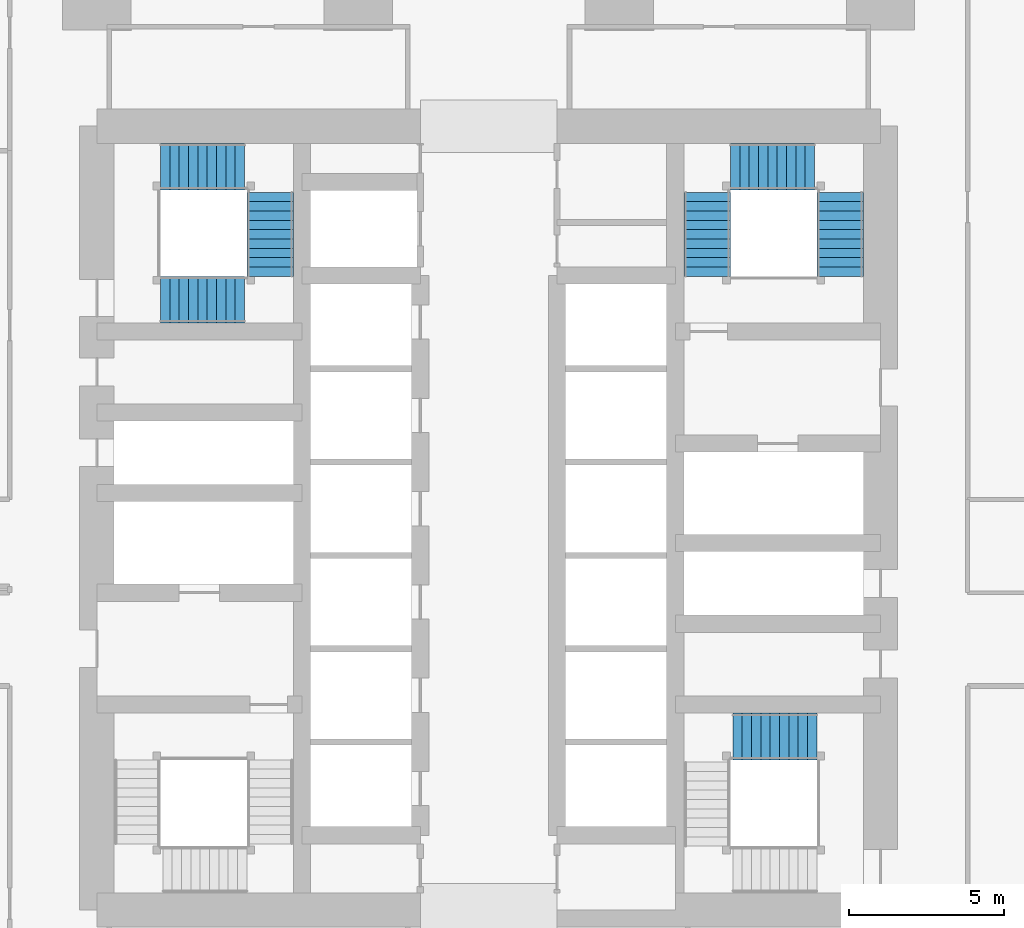
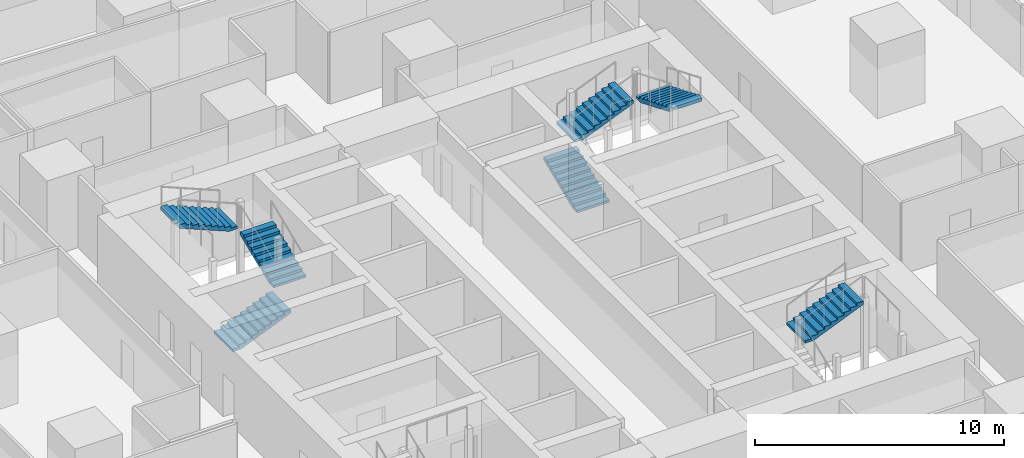
# One storey, part 36 of 45: 7 stair flights, 3 elements without a shape of their own.
"""IFC4 building model written with IfcOpenShell, lengths in metres."""

from ifc_helpers import new_model, si_unit, direction, frame, origin, place, context, subcontext, project, spatial, polyline, outline, extrude, material, type_object, element, aggregate, save


model = new_model("IFC4")

# Units and contexts
model_context = context("Model", 3, precision=1e-05, world=origin(), true_north=direction((0.0, 1.0)))
body_context = subcontext(model_context, "Body", "Model", "MODEL_VIEW")
ifc_project = project(units=[si_unit("LENGTHUNIT", "METRE"), si_unit("AREAUNIT", "SQUARE_METRE"), si_unit("VOLUMEUNIT", "CUBIC_METRE"), si_unit("PLANEANGLEUNIT", "RADIAN"), si_unit("MASSUNIT", "GRAM", prefix="KILO")], contexts=[model_context])

# Site, building, storey
site_placement = place(None, origin())
site = spatial("IfcSite", under=ifc_project, at=site_placement, CompositionType="ELEMENT")
building_placement = place(site_placement, origin())
building = spatial("IfcBuilding", under=site, at=building_placement, Name="Rekha Terrace Tower", CompositionType="ELEMENT")
storey_placement = place(building_placement, frame((0.0, 0.0, 36.64990234375)))
storey = spatial("IfcBuildingStorey", under=building, at=storey_placement, Name="L08", CompositionType="ELEMENT", Elevation=36.64990234375)

# Stair, stair flights
ifc_material = material(Name="Concrete M40", Category="concrete")
stair_type = type_object("IfcStairType", Name="ST30 stair, 30 risers of 125, going 300, 1500 wide flights, 3 flights", PredefinedType="HALF_TURN_STAIR", material=ifc_material)
stair_1_placement = place(storey_placement, origin())
stair_1 = element("IfcStair", 1, at=stair_1_placement, inside=storey, type_object=stair_type, Name="Stair ST2 L08 to L09", PredefinedType="HALF_TURN_STAIR")
stair_flight_type = type_object("IfcStairFlightType", Name="SF10 stair flight, 10 risers of 125, going 300, 1500 wide", PredefinedType="STRAIGHT", material=ifc_material)
stair_flight_1_placement = place(storey_placement, frame((44.824951171875, 41.375, 0.0), z_axis=(0.0, 0.0, 1.0), x_axis=(0.0, 1.0, 0.0)))
stair_flight_1 = element("IfcStairFlight", 2, at=stair_flight_1_placement, type_object=stair_flight_type, Name="ST2 flight 1", NumberOfRisers=10, NumberOfTreads=9, PredefinedType="STRAIGHT", RiserHeight=0.125, TreadLength=0.3, context=body_context, shape_type="SweptSolid", body=[
    extrude(outline(polyline([(0.0, 0.0), (0.0, 0.125), (0.300048828125, 0.125), (0.300048828125, 0.25), (0.60009765625, 0.25), (0.60009765625, 0.375), (0.89990234375, 0.375), (0.89990234375, 0.5), (1.199951171875, 0.5), (1.199951171875, 0.625), (1.5, 0.625), (1.5, 0.75), (1.800048828125, 0.75), (1.800048828125, 0.875), (2.10009765625, 0.875), (2.10009765625, 1.0), (2.39990234375, 1.0), (2.39990234375, 1.125), (2.699951171875, 1.125), (2.699951171875, 1.25), (2.699951171875, 0.962646484375), (0.3896484375, 0.0), (0.0, 0.0)])), frame((0.0, 0.75, 0.0), z_axis=(0.0, -1.0, 0.0), x_axis=(1.0, 0.0, 0.0)), (0.0, 0.0, 1.0), 1.5),
])
stair_flight_2_placement = place(storey_placement, frame((45.574951171875, 44.89990234375, 1.25), z_axis=(0.0, 0.0, 1.0), x_axis=(1.0, 0.0, 0.0)))
stair_flight_2 = element("IfcStairFlight", 3, at=stair_flight_2_placement, type_object=stair_flight_type, Name="ST2 flight 2", NumberOfRisers=10, NumberOfTreads=9, PredefinedType="STRAIGHT", RiserHeight=0.125, TreadLength=0.3, context=body_context, shape_type="SweptSolid", body=[
    extrude(outline(polyline([(0.0, 0.0), (0.0, 0.125), (0.300048828125, 0.125), (0.300048828125, 0.25), (0.60009765625, 0.25), (0.60009765625, 0.375), (0.89990234375, 0.375), (0.89990234375, 0.5), (1.199951171875, 0.5), (1.199951171875, 0.625), (1.5, 0.625), (1.5, 0.75), (1.800048828125, 0.75), (1.800048828125, 0.875), (2.10009765625, 0.875), (2.10009765625, 1.0), (2.39990234375, 1.0), (2.39990234375, 1.125), (2.699951171875, 1.125), (2.699951171875, 1.25), (2.699951171875, 0.962646484375), (0.3896484375, 0.0), (0.0, 0.0)])), frame((0.0, 0.75, 0.0), z_axis=(0.0, -1.0, 0.0), x_axis=(1.0, 0.0, 0.0)), (0.0, 0.0, 1.0), 1.5),
])
stair_flight_3_placement = place(storey_placement, frame((49.10009765625, 44.074951171875, 2.5), z_axis=(0.0, 0.0, 1.0), x_axis=(0.0, -1.0, 0.0)))
stair_flight_3 = element("IfcStairFlight", 4, at=stair_flight_3_placement, type_object=stair_flight_type, Name="ST2 flight 3", NumberOfRisers=10, NumberOfTreads=9, PredefinedType="STRAIGHT", RiserHeight=0.125, TreadLength=0.3, context=body_context, shape_type="SweptSolid", body=[
    extrude(outline(polyline([(0.0, 0.0), (0.0, 0.125), (0.300048828125, 0.125), (0.300048828125, 0.25), (0.60009765625, 0.25), (0.60009765625, 0.375), (0.89990234375, 0.375), (0.89990234375, 0.5), (1.199951171875, 0.5), (1.199951171875, 0.625), (1.5, 0.625), (1.5, 0.75), (1.800048828125, 0.75), (1.800048828125, 0.875), (2.10009765625, 0.875), (2.10009765625, 1.0), (2.39990234375, 1.0), (2.39990234375, 1.125), (2.699951171875, 1.125), (2.699951171875, 1.25), (2.699951171875, 0.962646484375), (0.3896484375, 0.0), (0.0, 0.0)])), frame((0.0, 0.75, 0.0), z_axis=(0.0, -1.0, 0.0), x_axis=(1.0, 0.0, 0.0)), (0.0, 0.0, 1.0), 1.5),
])
aggregate(stair_1, [stair_flight_1, stair_flight_2, stair_flight_3])

# Stair, stair flight
stair_2_placement = place(storey_placement, origin())
stair_2 = element("IfcStair", 5, at=stair_2_placement, inside=storey, type_object=stair_type, Name="Stair ST3 L08 to L09", PredefinedType="HALF_TURN_STAIR")
stair_flight_4_placement = place(storey_placement, frame((45.64990234375, 26.574951171875, 2.5), z_axis=(0.0, 0.0, 1.0), x_axis=(1.0, 0.0, 0.0)))
stair_flight_4 = element("IfcStairFlight", 6, at=stair_flight_4_placement, type_object=stair_flight_type, Name="ST3 flight 3", NumberOfRisers=10, NumberOfTreads=9, PredefinedType="STRAIGHT", RiserHeight=0.125, TreadLength=0.3, context=body_context, shape_type="SweptSolid", body=[
    extrude(outline(polyline([(0.0, 0.0), (0.0, 0.125), (0.300048828125, 0.125), (0.300048828125, 0.25), (0.60009765625, 0.25), (0.60009765625, 0.375), (0.89990234375, 0.375), (0.89990234375, 0.5), (1.199951171875, 0.5), (1.199951171875, 0.625), (1.5, 0.625), (1.5, 0.75), (1.800048828125, 0.75), (1.800048828125, 0.875), (2.10009765625, 0.875), (2.10009765625, 1.0), (2.39990234375, 1.0), (2.39990234375, 1.125), (2.699951171875, 1.125), (2.699951171875, 1.25), (2.699951171875, 0.962646484375), (0.3896484375, 0.0), (0.0, 0.0)])), frame((0.0, 0.75, 0.0), z_axis=(0.0, -1.0, 0.0), x_axis=(1.0, 0.0, 0.0)), (0.0, 0.0, 1.0), 1.5),
])
aggregate(stair_2, [stair_flight_4])

# Stair, stair flights
stair_3_placement = place(storey_placement, origin())
stair_3 = element("IfcStair", 7, at=stair_3_placement, inside=storey, type_object=stair_type, Name="Stair ST4 L08 to L09", PredefinedType="HALF_TURN_STAIR")
stair_flight_5_placement = place(storey_placement, frame((27.25, 40.625, 0.0), z_axis=(0.0, 0.0, 1.0), x_axis=(1.0, 0.0, 0.0)))
stair_flight_5 = element("IfcStairFlight", 8, at=stair_flight_5_placement, type_object=stair_flight_type, Name="ST4 flight 1", NumberOfRisers=10, NumberOfTreads=9, PredefinedType="STRAIGHT", RiserHeight=0.125, TreadLength=0.3, context=body_context, shape_type="SweptSolid", body=[
    extrude(outline(polyline([(0.0, 0.0), (0.0, 0.125), (0.300048828125, 0.125), (0.300048828125, 0.25), (0.60009765625, 0.25), (0.60009765625, 0.375), (0.89990234375, 0.375), (0.89990234375, 0.5), (1.199951171875, 0.5), (1.199951171875, 0.625), (1.5, 0.625), (1.5, 0.75), (1.800048828125, 0.75), (1.800048828125, 0.875), (2.10009765625, 0.875), (2.10009765625, 1.0), (2.39990234375, 1.0), (2.39990234375, 1.125), (2.699951171875, 1.125), (2.699951171875, 1.25), (2.699951171875, 0.962646484375), (0.3896484375, 0.0), (0.0, 0.0)])), frame((0.0, 0.75, 0.0), z_axis=(0.0, -1.0, 0.0), x_axis=(1.0, 0.0, 0.0)), (0.0, 0.0, 1.0), 1.5),
])
stair_flight_6_placement = place(storey_placement, frame((30.77490234375, 41.375, 1.25), z_axis=(0.0, 0.0, 1.0), x_axis=(0.0, 1.0, 0.0)))
stair_flight_6 = element("IfcStairFlight", 9, at=stair_flight_6_placement, type_object=stair_flight_type, Name="ST4 flight 2", NumberOfRisers=10, NumberOfTreads=9, PredefinedType="STRAIGHT", RiserHeight=0.125, TreadLength=0.3, context=body_context, shape_type="SweptSolid", body=[
    extrude(outline(polyline([(0.0, 0.0), (0.0, 0.125), (0.300048828125, 0.125), (0.300048828125, 0.25), (0.60009765625, 0.25), (0.60009765625, 0.375), (0.89990234375, 0.375), (0.89990234375, 0.5), (1.199951171875, 0.5), (1.199951171875, 0.625), (1.5, 0.625), (1.5, 0.75), (1.800048828125, 0.75), (1.800048828125, 0.875), (2.10009765625, 0.875), (2.10009765625, 1.0), (2.39990234375, 1.0), (2.39990234375, 1.125), (2.699951171875, 1.125), (2.699951171875, 1.25), (2.699951171875, 0.962646484375), (0.3896484375, 0.0), (0.0, 0.0)])), frame((0.0, 0.75, 0.0), z_axis=(0.0, -1.0, 0.0), x_axis=(1.0, 0.0, 0.0)), (0.0, 0.0, 1.0), 1.5),
])
stair_flight_7_placement = place(storey_placement, frame((29.949951171875, 44.89990234375, 2.5), z_axis=(0.0, 0.0, 1.0), x_axis=(-1.0, 0.0, 0.0)))
stair_flight_7 = element("IfcStairFlight", 10, at=stair_flight_7_placement, type_object=stair_flight_type, Name="ST4 flight 3", NumberOfRisers=10, NumberOfTreads=9, PredefinedType="STRAIGHT", RiserHeight=0.125, TreadLength=0.3, context=body_context, shape_type="SweptSolid", body=[
    extrude(outline(polyline([(0.0, 0.0), (0.0, 0.125), (0.300048828125, 0.125), (0.300048828125, 0.25), (0.60009765625, 0.25), (0.60009765625, 0.375), (0.89990234375, 0.375), (0.89990234375, 0.5), (1.199951171875, 0.5), (1.199951171875, 0.625), (1.5, 0.625), (1.5, 0.75), (1.800048828125, 0.75), (1.800048828125, 0.875), (2.10009765625, 0.875), (2.10009765625, 1.0), (2.39990234375, 1.0), (2.39990234375, 1.125), (2.699951171875, 1.125), (2.699951171875, 1.25), (2.699951171875, 0.962646484375), (0.3896484375, 0.0), (0.0, 0.0)])), frame((0.0, 0.75, 0.0), z_axis=(0.0, -1.0, 0.0), x_axis=(1.0, 0.0, 0.0)), (0.0, 0.0, 1.0), 1.5),
])
aggregate(stair_3, [stair_flight_5, stair_flight_6, stair_flight_7])

save(model, "model.ifc")
